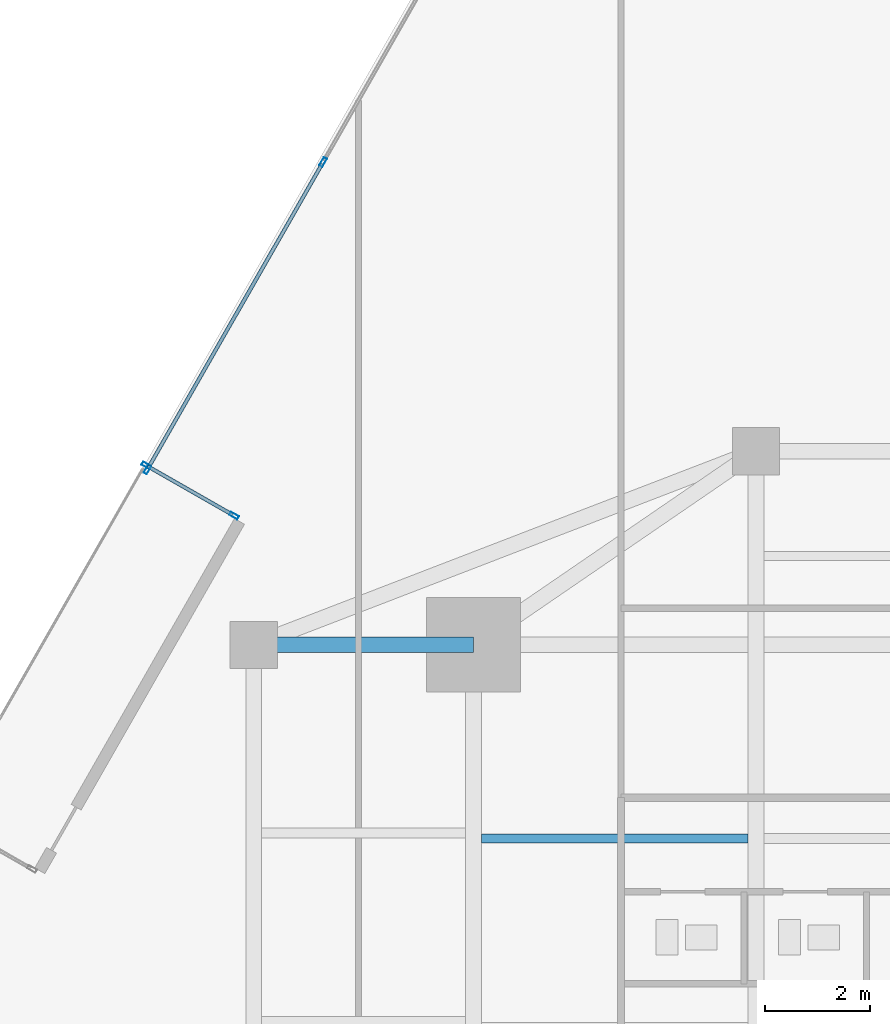
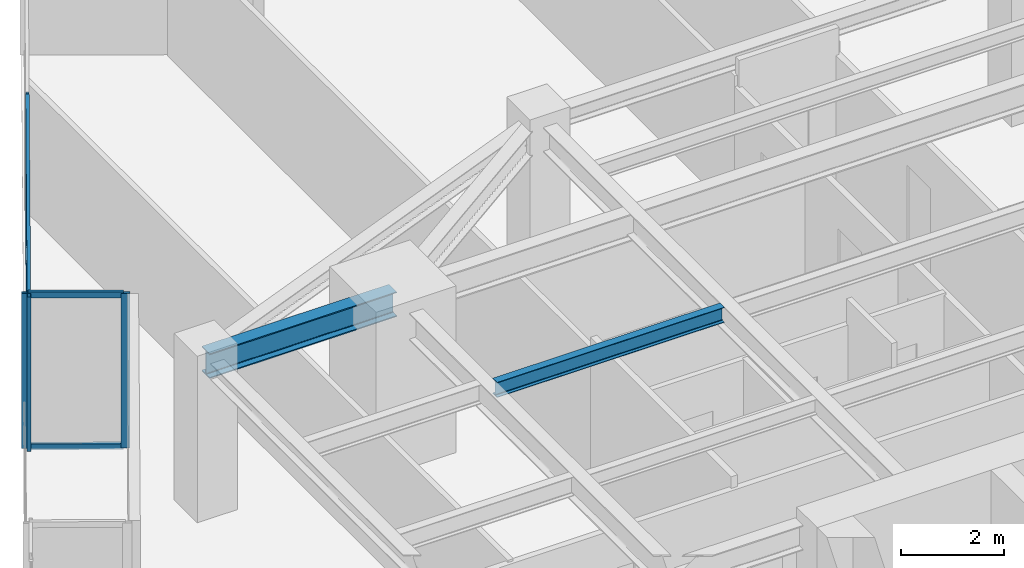
# One storey, part 13 of 24: 8 members, 2 beams, 2 elements without a shape of their own.
"""IFC4 building model written with IfcOpenShell, lengths in metres."""

from ifc_helpers import new_model, si_unit, direction, frame, origin, origin_2d, place, context, subcontext, project, spatial, hollow_rectangle, i_section, extrude, source, transform, mapped, material, material_profile, profile_set, type_object, type_shapes, element, aggregate, save


model = new_model("IFC4")

# Units and contexts
model_context = context("Model", 3, precision=1e-05, world=origin(), true_north=direction((0.0, 1.0)))
body_context = subcontext(model_context, "Body", "Model", "MODEL_VIEW")
ifc_project = project(units=[si_unit("LENGTHUNIT", "METRE"), si_unit("AREAUNIT", "SQUARE_METRE"), si_unit("VOLUMEUNIT", "CUBIC_METRE"), si_unit("PLANEANGLEUNIT", "RADIAN"), si_unit("MASSUNIT", "GRAM", prefix="KILO")], contexts=[model_context])

# Site, building, storey
site_placement = place(None, origin())
site = spatial("IfcSite", under=ifc_project, at=site_placement, CompositionType="ELEMENT")
building_placement = place(site_placement, origin())
building = spatial("IfcBuilding", under=site, at=building_placement, Name="Krantzveldt Concourse Tower", CompositionType="ELEMENT")
storey_placement = place(building_placement, frame((0.0, 0.0, 165.949951171875)))
storey = spatial("IfcBuildingStorey", under=building, at=storey_placement, Name="L40", CompositionType="ELEMENT", Elevation=165.949951171875)

# Beams
ifc_material_1 = material(Name="Steel S355JR", Category="steel")
ifc_material_profile_1 = material_profile(ifc_material_1, i_section(OverallWidth=0.300048828125, OverallDepth=0.590087890625, WebThickness=0.012939453125, FlangeThickness=0.02490234375, FilletRadius=0.027099609375, at=origin_2d()), Name="Steel S355JR", Category="steel")
ifc_profile_set_1 = profile_set([ifc_material_profile_1], Name="Steel S355JR - HEA 600")
beam_type_1 = type_object("IfcBeamType", Name="BM-B-HEA600", PredefinedType="BEAM", material=ifc_profile_set_1)
shared_shape_1 = source(origin(), body_context, "Body", "SweptSolid", [
    extrude(i_section(OverallWidth=0.300048828125, OverallDepth=0.590087890625, WebThickness=0.012939453125, FlangeThickness=0.02490234375, FilletRadius=0.027099609375, at=origin_2d()), origin(), (0.0, 0.0, 1.0), 4.199951171875),
])
type_shapes(beam_type_1, [shared_shape_1])
beam_1_placement = place(storey_placement, frame((21.0, 37.5, 3.375), z_axis=(1.0, 0.0, 0.0), x_axis=(0.0, 1.0, 0.0)))
element("IfcBeam", 1, at=beam_1_placement, inside=storey, type_object=beam_type_1, Name="L40 Tower Girder BR-RL3", PredefinedType="BEAM", context=body_context, shape_type="MappedRepresentation", body=[
    mapped(shared_shape_1, transform((0.0, 0.0, 0.0), x_axis=(1.0, 0.0, 0.0), y_axis=(0.0, 1.0, 0.0), z_axis=(0.0, 0.0, 1.0), scale=1.0)),
])
ifc_material_profile_2 = material_profile(ifc_material_1, i_section(OverallWidth=0.169921875, OverallDepth=0.360107421875, WebThickness=0.008056640625, FlangeThickness=0.0126953125, FilletRadius=0.01806640625, at=origin_2d()), Name="Steel S355JR", Category="steel")
ifc_profile_set_2 = profile_set([ifc_material_profile_2], Name="Steel S355JR - IPE 360")
beam_type_2 = type_object("IfcBeamType", Name="BM-J-IPE360", PredefinedType="JOIST", material=ifc_profile_set_2)
shared_shape_2 = source(origin(), body_context, "Body", "SweptSolid", [
    extrude(i_section(OverallWidth=0.169921875, OverallDepth=0.360107421875, WebThickness=0.008056640625, FlangeThickness=0.0126953125, FilletRadius=0.01806640625, at=origin_2d()), origin(), (0.0, 0.0, 1.0), 5.099853515625),
])
type_shapes(beam_type_2, [shared_shape_2])
beam_2_placement = place(storey_placement, frame((25.35009765625, 33.800048828125, 3.489990234375), z_axis=(1.0, 0.0, 0.0), x_axis=(0.0, 1.0, 0.0)))
element("IfcBeam", 2, at=beam_2_placement, inside=storey, type_object=beam_type_2, Name="L40 Secondary Floor Joist JN-W2", PredefinedType="JOIST", context=body_context, shape_type="MappedRepresentation", body=[
    mapped(shared_shape_2, transform((0.0, 0.0, 0.0), x_axis=(1.0, 0.0, 0.0), y_axis=(0.0, 1.0, 0.0), z_axis=(0.0, 0.0, 1.0), scale=1.0)),
])

# Curtain wall, members
ifc_material_2 = material(Name="Anodised aluminium 6063-T6", Category="aluminium")
curtain_wall_type_1 = type_object("IfcCurtainWallType", Name="CW3", PredefinedType="USERDEFINED", material=ifc_material_2)
curtain_wall_1_placement = place(storey_placement, origin())
curtain_wall_1 = element("IfcCurtainWall", 3, at=curtain_wall_1_placement, inside=storey, type_object=curtain_wall_type_1, Name="CW-L40-F01", ObjectType="UNITISED CURTAIN WALL", PredefinedType="USERDEFINED")
ifc_material_profile_3 = material_profile(ifc_material_2, hollow_rectangle(XDim=0.070068359375, YDim=0.179931640625, WallThickness=0.0048828125, at=origin_2d()), Name="Anodised aluminium 6063-T6", Category="aluminium")
ifc_profile_set_3 = profile_set([ifc_material_profile_3], Name="Anodised aluminium 6063-T6 - ALU-MULL 180x70x5")
member_type_1 = type_object("IfcMemberType", Name="CW-MUL-180", PredefinedType="MULLION", material=ifc_profile_set_3)
shared_shape_3 = source(origin(), body_context, "Body", "SweptSolid", [
    extrude(hollow_rectangle(XDim=0.070068359375, YDim=0.179931640625, WallThickness=0.0048828125, at=origin_2d()), origin(), (0.0, 0.0, 1.0), 3.670166015625),
])
type_shapes(member_type_1, [shared_shape_3])
member_1_placement = place(storey_placement, frame((22.324462890625, 46.725341796875, 0.0), z_axis=(0.0, 0.0, 1.0), x_axis=(0.868198885255, -0.496216379861, 0.0)))
member_1 = element("IfcMember", 4, at=member_1_placement, type_object=member_type_1, Name="CW-Z34 mullion 2", PredefinedType="MULLION", context=body_context, shape_type="MappedRepresentation", body=[
    mapped(shared_shape_3, transform((0.0, 0.0, 0.0), x_axis=(1.0, 0.0, 0.0), y_axis=(0.0, 1.0, 0.0), z_axis=(0.0, 0.0, 1.0), scale=1.0)),
])
member_2_placement = place(storey_placement, frame((18.967529296875, 40.85205078125, 0.0), z_axis=(0.0, 0.0, 1.0), x_axis=(0.868198885255, -0.496216379861, 0.0)))
member_2 = element("IfcMember", 5, at=member_2_placement, type_object=member_type_1, Name="CW-Z34 mullion 3", PredefinedType="MULLION", context=body_context, shape_type="MappedRepresentation", body=[
    mapped(shared_shape_3, transform((0.0, 0.0, 0.0), x_axis=(1.0, 0.0, 0.0), y_axis=(0.0, 1.0, 0.0), z_axis=(0.0, 0.0, 1.0), scale=1.0)),
])

curtain_wall_type_2 = type_object("IfcCurtainWallType", Name="CW6", PredefinedType="USERDEFINED", material=ifc_material_2)
curtain_wall_2_placement = place(storey_placement, origin())
curtain_wall_2 = element("IfcCurtainWall", 6, at=curtain_wall_2_placement, inside=storey, type_object=curtain_wall_type_2, Name="CW-L40-TR02", ObjectType="UNITISED CURTAIN WALL", PredefinedType="USERDEFINED")
member_3_placement = place(storey_placement, frame((18.947021484375, 40.927001953125, 0.0), z_axis=(0.0, 0.0, 1.0), x_axis=(0.496218628357, 0.86819760013, 0.0)))
member_3 = element("IfcMember", 7, at=member_3_placement, type_object=member_type_1, Name="CW-TERR mullion 1", PredefinedType="MULLION", context=body_context, shape_type="MappedRepresentation", body=[
    mapped(shared_shape_3, transform((0.0, 0.0, 0.0), x_axis=(1.0, 0.0, 0.0), y_axis=(0.0, 1.0, 0.0), z_axis=(0.0, 0.0, 1.0), scale=1.0)),
])
member_4_placement = place(storey_placement, frame((20.622802734375, 39.969482421875, 0.0), z_axis=(0.0, 0.0, 1.0), x_axis=(0.496218628357, 0.86819760013, 0.0)))
member_4 = element("IfcMember", 8, at=member_4_placement, type_object=member_type_1, Name="CW-TERR mullion 2", PredefinedType="MULLION", context=body_context, shape_type="MappedRepresentation", body=[
    mapped(shared_shape_3, transform((0.0, 0.0, 0.0), x_axis=(1.0, 0.0, 0.0), y_axis=(0.0, 1.0, 0.0), z_axis=(0.0, 0.0, 1.0), scale=1.0)),
])
ifc_material_profile_4 = material_profile(ifc_material_2, hollow_rectangle(XDim=0.070068359375, YDim=0.139892578125, WallThickness=0.0048828125, at=origin_2d()), Name="Anodised aluminium 6063-T6", Category="aluminium")
ifc_profile_set_4 = profile_set([ifc_material_profile_4], Name="Anodised aluminium 6063-T6 - ALU-TRAN 140x70x5")
member_type_2 = type_object("IfcMemberType", Name="CW-TRN-150", PredefinedType="USERDEFINED", material=ifc_profile_set_4)
shared_shape_4 = source(origin(), body_context, "Body", "SweptSolid", [
    extrude(hollow_rectangle(XDim=0.070068359375, YDim=0.139892578125, WallThickness=0.0048828125, at=origin_2d()), origin(), (0.0, 0.0, 1.0), 1.85986328125),
])
member_5_placement = place(storey_placement, frame((18.9775390625, 40.90966796875, 0.03515625), z_axis=(0.868210828001, -0.496195483799, 0.0), x_axis=(0.496195483799, 0.868210828001, 0.0)))
member_5 = element("IfcMember", 9, at=member_5_placement, type_object=member_type_2, Name="CW-TERR transom 1.1", ObjectType="TRANSOM", PredefinedType="USERDEFINED", context=body_context, shape_type="MappedRepresentation", body=[
    mapped(shared_shape_4, transform((0.0, 0.0, 0.0), x_axis=(1.0, 0.0, 0.0), y_axis=(0.0, 1.0, 0.0), z_axis=(0.0, 0.0, 1.0), scale=1.0)),
])
member_6_placement = place(storey_placement, frame((18.9775390625, 40.90966796875, 3.635009765625), z_axis=(0.868210828001, -0.496195483799, 0.0), x_axis=(0.496195483799, 0.868210828001, 0.0)))
member_6 = element("IfcMember", 10, at=member_6_placement, type_object=member_type_2, Name="CW-TERR transom 1.2", ObjectType="TRANSOM", PredefinedType="USERDEFINED", context=body_context, shape_type="MappedRepresentation", body=[
    mapped(shared_shape_4, transform((0.0, 0.0, 0.0), x_axis=(1.0, 0.0, 0.0), y_axis=(0.0, 1.0, 0.0), z_axis=(0.0, 0.0, 1.0), scale=1.0)),
])
aggregate(curtain_wall_2, [member_3, member_4, member_5, member_6])

# Member
shared_shape_5 = source(origin(), body_context, "Body", "SweptSolid", [
    extrude(hollow_rectangle(XDim=0.070068359375, YDim=0.139892578125, WallThickness=0.0048828125, at=origin_2d()), origin(), (0.0, 0.0, 1.0), 6.695068359375),
])
type_shapes(member_type_2, [shared_shape_4, shared_shape_5])
member_7_placement = place(storey_placement, frame((22.30712890625, 46.695068359375, 0.03515625), z_axis=(-0.496217476605, -0.868198258413, 0.0), x_axis=(0.868198258413, -0.496217476605, 0.0)))
member_7 = element("IfcMember", 11, at=member_7_placement, type_object=member_type_2, Name="CW-Z34 transom 2.1", ObjectType="TRANSOM", PredefinedType="USERDEFINED", context=body_context, shape_type="MappedRepresentation", body=[
    mapped(shared_shape_5, transform((0.0, 0.0, 0.0), x_axis=(1.0, 0.0, 0.0), y_axis=(0.0, 1.0, 0.0), z_axis=(0.0, 0.0, 1.0), scale=1.0)),
])

member_8_placement = place(storey_placement, frame((22.30712890625, 46.695068359375, 3.635009765625), z_axis=(-0.496217476605, -0.868198258413, 0.0), x_axis=(0.868198258413, -0.496217476605, 0.0)))
member_8 = element("IfcMember", 12, at=member_8_placement, type_object=member_type_2, Name="CW-Z34 transom 2.2", ObjectType="TRANSOM", PredefinedType="USERDEFINED", context=body_context, shape_type="MappedRepresentation", body=[
    mapped(shared_shape_5, transform((0.0, 0.0, 0.0), x_axis=(1.0, 0.0, 0.0), y_axis=(0.0, 1.0, 0.0), z_axis=(0.0, 0.0, 1.0), scale=1.0)),
])

aggregate(curtain_wall_1, [member_1, member_2, member_7, member_8])

save(model, "model.ifc")
